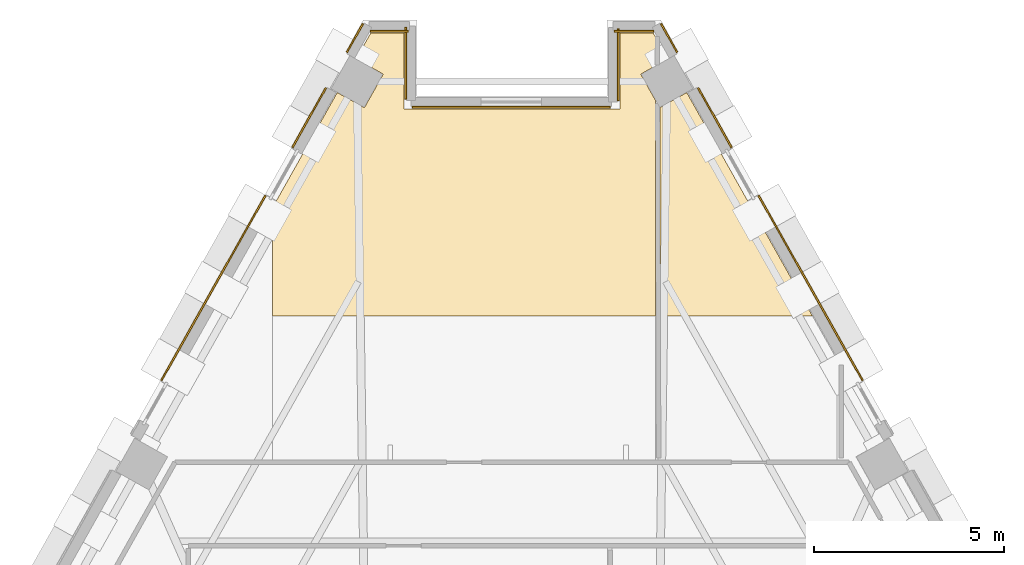
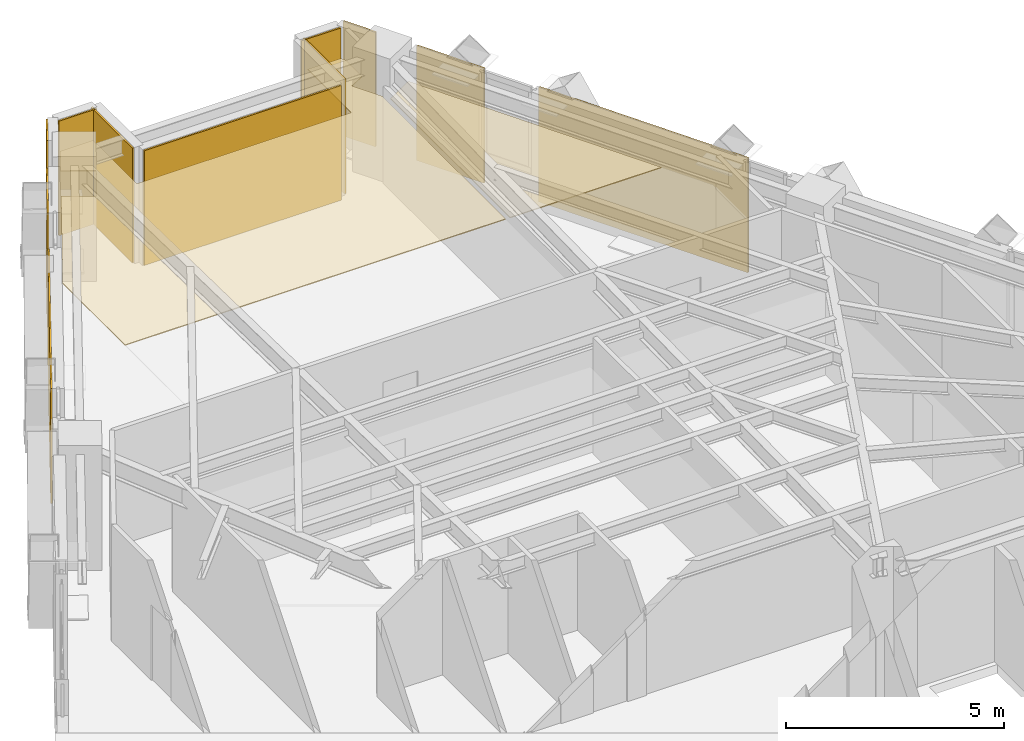
# One storey, part 13 of 13: 13 coverings.
"""IFC4 building model written with IfcOpenShell, lengths in metres."""

from ifc_helpers import new_model, si_unit, direction, frame, origin, place, context, subcontext, project, spatial, polyline, outline, extrude, material, layer, layer_set, type_object, element, save


model = new_model("IFC4")

# Units and contexts
model_context = context("Model", 3, precision=1e-05, world=origin(), true_north=direction((0.0, 1.0)))
body_context = subcontext(model_context, "Body", "Model", "MODEL_VIEW")
ifc_project = project(units=[si_unit("LENGTHUNIT", "METRE"), si_unit("AREAUNIT", "SQUARE_METRE"), si_unit("VOLUMEUNIT", "CUBIC_METRE"), si_unit("PLANEANGLEUNIT", "RADIAN"), si_unit("MASSUNIT", "GRAM", prefix="KILO")], contexts=[model_context])

# Site, building, storey
site_placement = place(None, origin())
site = spatial("IfcSite", under=ifc_project, at=site_placement, CompositionType="ELEMENT")
building_placement = place(site_placement, origin())
building = spatial("IfcBuilding", under=site, at=building_placement, Name="Quenlor Broadcast Tower", CompositionType="ELEMENT")
storey_placement = place(building_placement, frame((0.0, 0.0, 161.5)))
storey = spatial("IfcBuildingStorey", under=building, at=storey_placement, Name="L44", CompositionType="ELEMENT", Elevation=161.5)

# Coverings
ifc_material_1 = material(Name="Acoustic Mineral Fibre Board", Category="other")
ifc_layer_1 = layer(ifc_material_1, 0.02490234375)
ifc_layer_set_1 = layer_set([ifc_layer_1], Name="Acoustic Perforated Mineral Tile Ceiling 25")
covering_type_1 = type_object("IfcCoveringType", Name="Acoustic Perforated Mineral Tile Ceiling 25", PredefinedType="CEILING", material=ifc_layer_set_1)
covering_1_placement = place(storey_placement, frame((0.0, 0.0, 2.375)))
element("IfcCovering", 1, at=covering_1_placement, inside=storey, type_object=covering_type_1, Name="L44 Acoustic Ceiling L44-29-2", PredefinedType="CEILING", context=body_context, shape_type="SweptSolid", body=[
    extrude(outline(polyline([(2.840087890625, 18.10009765625), (2.840087890625, 20.10009765625), (3.71630859375, 20.10009765625), (3.780029296875, 19.986572265625), (3.780029296875, 19.236572265625), (3.387451171875, 19.015869140625), (3.780029296875, 18.318115234375), (3.780029296875, 12.64990234375), (-6.300048828125, 12.64990234375), (-6.300048828125, 15.506591796875), (-4.598388671875, 18.53125), (-3.885498046875, 18.13037109375), (-3.387451171875, 19.015869140625), (-4.100341796875, 19.416748046875), (-3.71630859375, 20.10009765625), (-2.840087890625, 20.10009765625), (-2.840087890625, 18.10009765625), (2.840087890625, 18.10009765625)])), origin(), (0.0, 0.0, 1.0), 0.02490234375),
])
covering_2_placement = place(storey_placement, frame((0.0, 0.0, 2.375)))
element("IfcCovering", 2, at=covering_2_placement, inside=storey, type_object=covering_type_1, Name="L44 Acoustic Ceiling L44-30-2", PredefinedType="CEILING", context=body_context, shape_type="SweptSolid", body=[
    extrude(outline(polyline([(3.89990234375, 18.138427734375), (4.598388671875, 18.53125), (7.90673828125, 12.64990234375), (3.89990234375, 12.64990234375), (3.89990234375, 18.138427734375)])), origin(), (0.0, 0.0, 1.0), 0.02490234375),
])
ifc_material_2 = material(Name="Architectural Terracotta Ceramic", Category="masonry")
ifc_layer_2 = layer(ifc_material_2, 0.044921875)
ifc_layer_set_2 = layer_set([ifc_layer_2], Name="Fluted Terracotta Rainscreen Cladding Panel")
covering_type_2 = type_object("IfcCoveringType", Name="Fluted Terracotta Rainscreen Cladding Panel", PredefinedType="CLADDING", material=ifc_layer_set_2)
covering_3_placement = place(storey_placement, frame((0.0, 0.0, 0.02001953125)))
element("IfcCovering", 3, at=covering_3_placement, inside=storey, type_object=covering_type_2, Name="L44 Terracotta Rainscreen Cladding L44-SHD-NES0", PredefinedType="CLADDING", context=body_context, shape_type="SweptSolid", body=[
    extrude(outline(polyline([(3.904296875, 20.330810546875), (4.32861328125, 19.576171875), (4.367919921875, 19.59814453125), (3.943359375, 20.352783203125), (3.904296875, 20.330810546875)])), origin(), (0.0, 0.0, 1.0), 3.2099609375),
])
covering_4_placement = place(storey_placement, frame((0.0, 0.0, 0.02001953125)))
element("IfcCovering", 4, at=covering_4_placement, inside=storey, type_object=covering_type_2, Name="L44 Terracotta Rainscreen Cladding L44-NEA-SP1", PredefinedType="CLADDING", context=body_context, shape_type="SweptSolid", body=[
    extrude(outline(polyline([(4.880615234375, 18.635986328125), (5.760986328125, 17.070556640625), (5.80029296875, 17.092529296875), (4.919677734375, 18.657958984375), (4.880615234375, 18.635986328125)])), origin(), (0.0, 0.0, 1.0), 3.2099609375),
])
covering_5_placement = place(storey_placement, frame((0.0, 0.0, 0.02001953125)))
element("IfcCovering", 5, at=covering_5_placement, inside=storey, type_object=covering_type_2, Name="L44 Terracotta Rainscreen Cladding L44-NEA-SP2", PredefinedType="CLADDING", context=body_context, shape_type="SweptSolid", body=[
    extrude(outline(polyline([(6.4716796875, 15.806884765625), (9.208984375, 10.940673828125), (9.248291015625, 10.962646484375), (6.510986328125, 15.8291015625), (6.4716796875, 15.806884765625)])), origin(), (0.0, 0.0, 1.0), 3.2099609375),
])
covering_6_placement = place(storey_placement, frame((0.0, 0.0, 0.02001953125)))
element("IfcCovering", 6, at=covering_6_placement, inside=storey, type_object=covering_type_2, Name="L44 Terracotta Rainscreen Cladding L44-SHD-NWS1", PredefinedType="CLADDING", context=body_context, shape_type="SweptSolid", body=[
    extrude(outline(polyline([(-4.32861328125, 19.576171875), (-3.904296875, 20.330810546875), (-3.943359375, 20.352783203125), (-4.367919921875, 19.59814453125), (-4.32861328125, 19.576171875)])), origin(), (0.0, 0.0, 1.0), 3.2099609375),
])
covering_7_placement = place(storey_placement, frame((0.0, 0.0, 0.02001953125)))
element("IfcCovering", 7, at=covering_7_placement, inside=storey, type_object=covering_type_2, Name="L44 Terracotta Rainscreen Cladding L44-NWC-SP2", PredefinedType="CLADDING", context=body_context, shape_type="SweptSolid", body=[
    extrude(outline(polyline([(-9.208984375, 10.940673828125), (-6.4716796875, 15.806884765625), (-6.510986328125, 15.8291015625), (-9.248291015625, 10.962646484375), (-9.208984375, 10.940673828125)])), origin(), (0.0, 0.0, 1.0), 3.2099609375),
])
covering_8_placement = place(storey_placement, frame((0.0, 0.0, 0.02001953125)))
element("IfcCovering", 8, at=covering_8_placement, inside=storey, type_object=covering_type_2, Name="L44 Terracotta Rainscreen Cladding L44-NWC-SP3", PredefinedType="CLADDING", context=body_context, shape_type="SweptSolid", body=[
    extrude(outline(polyline([(-5.760986328125, 17.070556640625), (-4.880615234375, 18.635986328125), (-4.919677734375, 18.657958984375), (-5.80029296875, 17.092529296875), (-5.760986328125, 17.070556640625)])), origin(), (0.0, 0.0, 1.0), 3.2099609375),
])
covering_9_placement = place(storey_placement, frame((0.0, 0.0, 0.02001953125)))
element("IfcCovering", 9, at=covering_9_placement, inside=storey, type_object=covering_type_2, Name="L44 Terracotta Rainscreen Cladding L44-CNR-06", PredefinedType="CLADDING", context=body_context, shape_type="SweptSolid", body=[
    extrude(outline(polyline([(3.7314453125, 20.16796875), (2.68994140625, 20.16796875), (2.68994140625, 20.123046875), (3.7314453125, 20.123046875), (3.7314453125, 20.16796875)])), origin(), (0.0, 0.0, 1.0), 3.2099609375),
])
covering_10_placement = place(storey_placement, frame((0.0, 0.0, 0.02001953125)))
element("IfcCovering", 10, at=covering_10_placement, inside=storey, type_object=covering_type_2, Name="L44 Terracotta Rainscreen Cladding L44-CNR-07", PredefinedType="CLADDING", context=body_context, shape_type="SweptSolid", body=[
    extrude(outline(polyline([(2.77197265625, 20.2099609375), (2.77197265625, 18.31005859375), (2.81689453125, 18.31005859375), (2.81689453125, 20.2099609375), (2.77197265625, 20.2099609375)])), origin(), (0.0, 0.0, 1.0), 3.2099609375),
])
covering_11_placement = place(storey_placement, frame((0.0, 0.0, 0.02001953125)))
element("IfcCovering", 11, at=covering_11_placement, inside=storey, type_object=covering_type_2, Name="L44 Terracotta Rainscreen Cladding L44-CNR-08", PredefinedType="CLADDING", context=body_context, shape_type="SweptSolid", body=[
    extrude(outline(polyline([(2.590087890625, 18.16796875), (-2.6298828125, 18.16796875), (-2.6298828125, 18.123046875), (2.590087890625, 18.123046875), (2.590087890625, 18.16796875)])), origin(), (0.0, 0.0, 1.0), 3.2099609375),
])
covering_12_placement = place(storey_placement, frame((0.0, 0.0, 0.02001953125)))
element("IfcCovering", 12, at=covering_12_placement, inside=storey, type_object=covering_type_2, Name="L44 Terracotta Rainscreen Cladding L44-CNR-09", PredefinedType="CLADDING", context=body_context, shape_type="SweptSolid", body=[
    extrude(outline(polyline([(-2.77197265625, 18.35009765625), (-2.77197265625, 20.25), (-2.81689453125, 20.25), (-2.81689453125, 18.35009765625), (-2.77197265625, 18.35009765625)])), origin(), (0.0, 0.0, 1.0), 3.2099609375),
])
covering_13_placement = place(storey_placement, frame((0.0, 0.0, 0.02001953125)))
element("IfcCovering", 13, at=covering_13_placement, inside=storey, type_object=covering_type_2, Name="L44 Terracotta Rainscreen Cladding L44-CNR-10", PredefinedType="CLADDING", context=body_context, shape_type="SweptSolid", body=[
    extrude(outline(polyline([(-2.72998046875, 20.16796875), (-3.7314453125, 20.16796875), (-3.7314453125, 20.123046875), (-2.72998046875, 20.123046875), (-2.72998046875, 20.16796875)])), origin(), (0.0, 0.0, 1.0), 3.2099609375),
])

save(model, "model.ifc")
